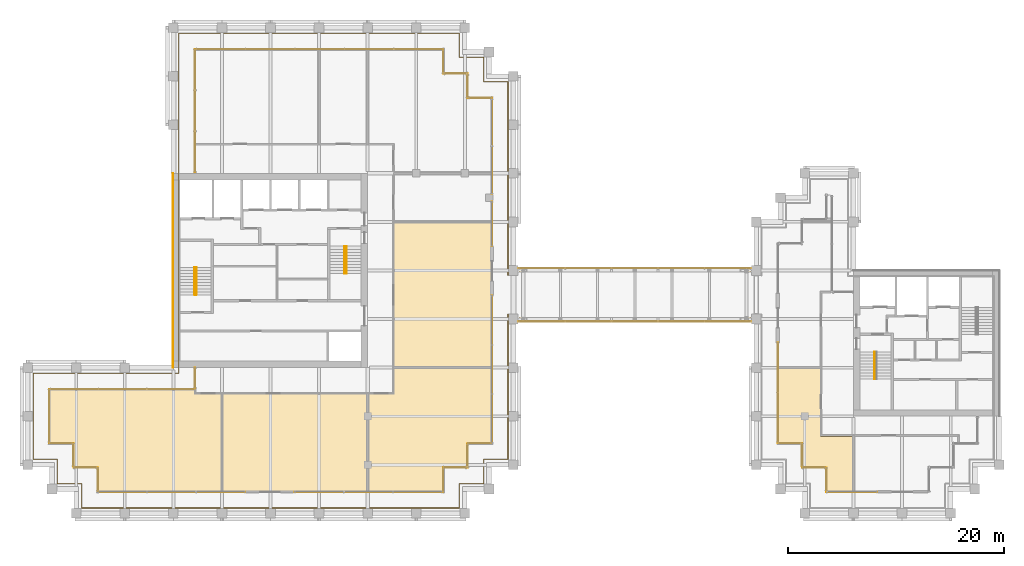
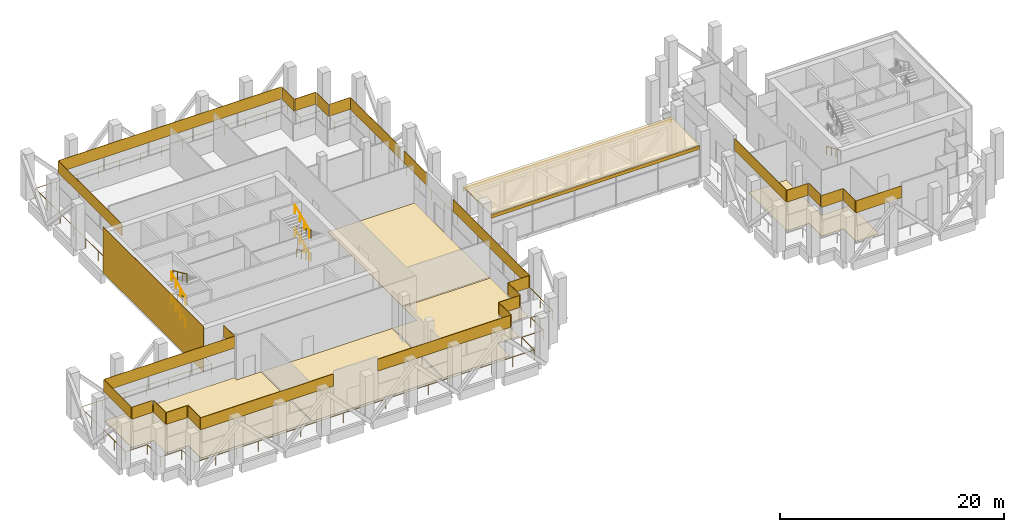
# One storey, part 33 of 34: 37 coverings, 10 railings.
"""IFC4 building model written with IfcOpenShell, lengths in metres."""

from ifc_helpers import new_model, si_unit, direction, frame, origin, origin_2d, place, context, subcontext, project, spatial, polyline, rectangle, circle, outline, extrude, source, transform, mapped, material, layer, layer_set, type_object, element, save


model = new_model("IFC4")

# Units and contexts
model_context = context("Model", 3, precision=1e-05, world=origin(), true_north=direction((0.0, 1.0)))
body_context = subcontext(model_context, "Body", "Model", "MODEL_VIEW")
ifc_project = project(units=[si_unit("LENGTHUNIT", "METRE"), si_unit("AREAUNIT", "SQUARE_METRE"), si_unit("VOLUMEUNIT", "CUBIC_METRE"), si_unit("PLANEANGLEUNIT", "RADIAN"), si_unit("MASSUNIT", "GRAM", prefix="KILO")], contexts=[model_context])

# Site, building, storey
site_placement = place(None, origin())
site = spatial("IfcSite", under=ifc_project, at=site_placement, CompositionType="ELEMENT")
building_placement = place(site_placement, origin())
building = spatial("IfcBuilding", under=site, at=building_placement, Name="Altepetl Exchange Towers", CompositionType="ELEMENT")
storey_placement = place(building_placement, frame((0.0, 0.0, 190.60009765625)))
storey = spatial("IfcBuildingStorey", under=building, at=storey_placement, Name="L48 Refuge", CompositionType="ELEMENT", Elevation=190.60009765625)

# Coverings
ifc_material_1 = material(Name="Aluminium composite cladding", Category="aluminium")
ifc_layer_1 = layer(ifc_material_1, 0.030029296875)
ifc_layer_set_1 = layer_set([ifc_layer_1], Name="Aluminium composite cladding")
covering_type_1 = type_object("IfcCoveringType", Name="Bridge fascia panel 30", PredefinedType="CLADDING", material=ifc_layer_set_1)
for number, where, name in (
    (1, (83.25, 44.784912109375, 3.0), "BR3 fascia"),
    (2, (83.25, 49.715087890625, 3.0), "BR3 fascia"),
):
    element("IfcCovering", number, at=place(storey_placement, frame(where)), inside=storey, type_object=covering_type_1, Name=name, PredefinedType="CLADDING", context=body_context, shape_type="SweptSolid", body=[
        extrude(rectangle(XDim=21.5, YDim=0.030029296875, at=origin_2d()), origin(), (0.0, 0.0, 1.0), 0.35498046875),
    ])
ifc_material_2 = material(Name="Aluminium composite roofing", Category="aluminium")
ifc_layer_2 = layer(ifc_material_2, 0.14990234375)
ifc_layer_set_2 = layer_set([ifc_layer_2], Name="Aluminium composite roofing")
covering_type_2 = type_object("IfcCoveringType", Name="Bridge roof covering 150 insulated", PredefinedType="ROOFING", material=ifc_layer_set_2)
covering_1_placement = place(storey_placement, frame((0.0, 0.0, 3.35498046875)))
element("IfcCovering", 3, at=covering_1_placement, inside=storey, type_object=covering_type_2, Name="BR3 roof covering", PredefinedType="ROOFING", context=body_context, shape_type="SweptSolid", body=[
    extrude(outline(polyline([(72.5, 44.7099609375), (94.0, 44.7099609375), (94.0, 49.7900390625), (72.5, 49.7900390625), (72.5, 44.7099609375)])), origin(), (0.0, 0.0, 1.0), 0.14990234375),
])
ifc_material_3 = material(Name="Cantera stone", Category="masonry")
ifc_layer_3 = layer(ifc_material_3, 0.030029296875)
ifc_layer_set_3 = layer_set([ifc_layer_3], Name="Cantera stone")
covering_type_3 = type_object("IfcCoveringType", Name="Polished stone floor", PredefinedType="FLOORING", material=ifc_layer_set_3)
covering_2_placement = place(storey_placement, origin())
element("IfcCovering", 4, at=covering_2_placement, inside=storey, type_object=covering_type_3, Name="Refuge area floor finish A48.01", PredefinedType="FLOORING", context=body_context, shape_type="SweptSolid", body=[
    extrude(outline(polyline([(44.9375, 29.0625), (44.9375, 38.03759765625), (42.4375, 38.03759765625), (42.4375, 38.4375), (29.0625, 38.4375), (29.0625, 33.5625), (31.3125, 33.5625), (31.3125, 31.3125), (33.5625, 31.3125), (33.5625, 29.0625), (44.9375, 29.0625)])), origin(), (0.0, 0.0, 1.0), 0.02978515625),
])
covering_3_placement = place(storey_placement, origin())
element("IfcCovering", 5, at=covering_3_placement, inside=storey, type_object=covering_type_3, Name="Refuge area floor finish A48.02", PredefinedType="FLOORING", context=body_context, shape_type="SweptSolid", body=[
    extrude(outline(polyline([(58.4375, 29.0625), (58.4375, 38.03759765625), (45.0625, 38.03759765625), (45.0625, 29.0625), (58.4375, 29.0625)])), origin(), (0.0, 0.0, 1.0), 0.02978515625),
])
covering_4_placement = place(storey_placement, origin())
element("IfcCovering", 6, at=covering_4_placement, inside=storey, type_object=covering_type_3, Name="Refuge area floor finish A48.03", PredefinedType="FLOORING", context=body_context, shape_type="SweptSolid", body=[
    extrude(outline(polyline([(58.5625, 29.0625), (65.4375, 29.0625), (65.4375, 31.3125), (67.6875, 31.3125), (67.6875, 33.5625), (69.9375, 33.5625), (69.9375, 40.4375), (60.96240234375, 40.4375), (60.96240234375, 38.03759765625), (58.5625, 38.03759765625), (58.5625, 29.0625)])), origin(), (0.0, 0.0, 1.0), 0.02978515625),
])
covering_5_placement = place(storey_placement, origin())
element("IfcCovering", 7, at=covering_5_placement, inside=storey, type_object=covering_type_3, Name="Bridge lobby floor finish A48.04", PredefinedType="FLOORING", context=body_context, shape_type="SweptSolid", body=[
    extrude(outline(polyline([(69.9375, 40.5625), (69.9375, 53.9375), (60.96240234375, 53.9375), (60.96240234375, 40.5625), (69.9375, 40.5625)])), origin(), (0.0, 0.0, 1.0), 0.02978515625),
])
covering_6_placement = place(storey_placement, origin())
element("IfcCovering", 8, at=covering_6_placement, inside=storey, type_object=covering_type_3, Name="Refuge area floor finish B48.01", PredefinedType="FLOORING", context=body_context, shape_type="SweptSolid", body=[
    extrude(outline(polyline([(96.5625, 40.4375), (96.5625, 33.5625), (98.8125, 33.5625), (98.8125, 31.3125), (101.0625, 31.3125), (101.0625, 29.0625), (103.4375, 29.0625), (103.4375, 34.137451171875), (100.4375, 34.137451171875), (100.4375, 40.4375), (96.5625, 40.4375)])), origin(), (0.0, 0.0, 1.0), 0.02978515625),
])
ifc_material_4 = material(Name="Cantera limestone cladding", Category="masonry")
ifc_layer_4 = layer(ifc_material_4, 0.0400390625)
ifc_layer_set_4 = layer_set([ifc_layer_4], Name="Cantera limestone cladding")
covering_type_4 = type_object("IfcCoveringType", Name="Stone panel 40 cantera", PredefinedType="CLADDING", material=ifc_layer_set_4)
covering_7_placement = place(storey_placement, frame((42.5, 39.550048828125, 3.19970703125), z_axis=(0.0, 0.0, 1.0), x_axis=(0.0, -1.0, 0.0)))
element("IfcCovering", 9, at=covering_7_placement, inside=storey, type_object=covering_type_4, Name="Stone cladding band", PredefinedType="CLADDING", context=body_context, shape_type="SweptSolid", body=[
    extrude(rectangle(XDim=1.89990234375, YDim=0.0400390625, at=origin_2d()), origin(), (0.0, 0.0, 1.0), 1.300048828125),
])
covering_8_placement = place(storey_placement, frame((35.800048828125, 38.5, 3.19970703125), z_axis=(0.0, 0.0, 1.0), x_axis=(-1.0, 0.0, 0.0)))
element("IfcCovering", 10, at=covering_8_placement, inside=storey, type_object=covering_type_4, Name="Stone cladding band", PredefinedType="CLADDING", context=body_context, shape_type="SweptSolid", body=[
    extrude(rectangle(XDim=13.39990234375, YDim=0.0400390625, at=origin_2d()), origin(), (0.0, 0.0, 1.0), 1.300048828125),
])
covering_9_placement = place(storey_placement, frame((29.0, 36.050048828125, 3.19970703125), z_axis=(0.0, 0.0, 1.0), x_axis=(0.0, -1.0, 0.0)))
element("IfcCovering", 11, at=covering_9_placement, inside=storey, type_object=covering_type_4, Name="Stone cladding band", PredefinedType="CLADDING", context=body_context, shape_type="SweptSolid", body=[
    extrude(rectangle(XDim=4.89990234375, YDim=0.0400390625, at=origin_2d()), origin(), (0.0, 0.0, 1.0), 1.300048828125),
])
covering_10_placement = place(storey_placement, frame((30.074951171875, 33.5, 3.19970703125)))
element("IfcCovering", 12, at=covering_10_placement, inside=storey, type_object=covering_type_4, Name="Stone cladding band", PredefinedType="CLADDING", context=body_context, shape_type="SweptSolid", body=[
    extrude(rectangle(XDim=2.14990234375, YDim=0.0400390625, at=origin_2d()), origin(), (0.0, 0.0, 1.0), 1.300048828125),
])
covering_11_placement = place(storey_placement, frame((31.25, 32.425048828125, 3.19970703125), z_axis=(0.0, 0.0, 1.0), x_axis=(0.0, -1.0, 0.0)))
element("IfcCovering", 13, at=covering_11_placement, inside=storey, type_object=covering_type_4, Name="Stone cladding band", PredefinedType="CLADDING", context=body_context, shape_type="SweptSolid", body=[
    extrude(rectangle(XDim=2.14990234375, YDim=0.0400390625, at=origin_2d()), origin(), (0.0, 0.0, 1.0), 1.300048828125),
])
covering_12_placement = place(storey_placement, frame((32.324951171875, 31.25, 3.19970703125)))
element("IfcCovering", 14, at=covering_12_placement, inside=storey, type_object=covering_type_4, Name="Stone cladding band", PredefinedType="CLADDING", context=body_context, shape_type="SweptSolid", body=[
    extrude(rectangle(XDim=2.14990234375, YDim=0.0400390625, at=origin_2d()), origin(), (0.0, 0.0, 1.0), 1.300048828125),
])
covering_13_placement = place(storey_placement, frame((33.5, 30.175048828125, 3.19970703125), z_axis=(0.0, 0.0, 1.0), x_axis=(0.0, -1.0, 0.0)))
element("IfcCovering", 15, at=covering_13_placement, inside=storey, type_object=covering_type_4, Name="Stone cladding band", PredefinedType="CLADDING", context=body_context, shape_type="SweptSolid", body=[
    extrude(rectangle(XDim=2.14990234375, YDim=0.0400390625, at=origin_2d()), origin(), (0.0, 0.0, 1.0), 1.300048828125),
])
for number, where, name in (
    (16, (40.335693359375, 29.0, 3.19970703125), "Stone cladding band"),
    (17, (58.564208984375, 29.0, 3.19970703125), "Stone cladding band"),
):
    element("IfcCovering", number, at=place(storey_placement, frame(where)), inside=storey, type_object=covering_type_4, Name=name, PredefinedType="CLADDING", context=body_context, shape_type="SweptSolid", body=[
        extrude(rectangle(XDim=13.67138671875, YDim=0.0400390625, at=origin_2d()), origin(), (0.0, 0.0, 1.0), 1.300048828125),
    ])
covering_14_placement = place(storey_placement, frame((65.5, 30.074951171875, 3.19970703125), z_axis=(0.0, 0.0, 1.0), x_axis=(0.0, 1.0, 0.0)))
element("IfcCovering", 18, at=covering_14_placement, inside=storey, type_object=covering_type_4, Name="Stone cladding band", PredefinedType="CLADDING", context=body_context, shape_type="SweptSolid", body=[
    extrude(rectangle(XDim=2.14990234375, YDim=0.0400390625, at=origin_2d()), origin(), (0.0, 0.0, 1.0), 1.300048828125),
])
covering_15_placement = place(storey_placement, frame((66.574951171875, 31.25, 3.19970703125)))
element("IfcCovering", 19, at=covering_15_placement, inside=storey, type_object=covering_type_4, Name="Stone cladding band", PredefinedType="CLADDING", context=body_context, shape_type="SweptSolid", body=[
    extrude(rectangle(XDim=2.14990234375, YDim=0.0400390625, at=origin_2d()), origin(), (0.0, 0.0, 1.0), 1.300048828125),
])
covering_16_placement = place(storey_placement, frame((67.75, 32.324951171875, 3.19970703125), z_axis=(0.0, 0.0, 1.0), x_axis=(0.0, 1.0, 0.0)))
element("IfcCovering", 20, at=covering_16_placement, inside=storey, type_object=covering_type_4, Name="Stone cladding band", PredefinedType="CLADDING", context=body_context, shape_type="SweptSolid", body=[
    extrude(rectangle(XDim=2.14990234375, YDim=0.0400390625, at=origin_2d()), origin(), (0.0, 0.0, 1.0), 1.300048828125),
])
covering_17_placement = place(storey_placement, frame((68.824951171875, 33.5, 3.19970703125)))
element("IfcCovering", 21, at=covering_17_placement, inside=storey, type_object=covering_type_4, Name="Stone cladding band", PredefinedType="CLADDING", context=body_context, shape_type="SweptSolid", body=[
    extrude(rectangle(XDim=2.14990234375, YDim=0.0400390625, at=origin_2d()), origin(), (0.0, 0.0, 1.0), 1.300048828125),
])
covering_18_placement = place(storey_placement, frame((70.0, 40.335693359375, 3.19970703125), z_axis=(0.0, 0.0, 1.0), x_axis=(0.0, 1.0, 0.0)))
element("IfcCovering", 22, at=covering_18_placement, inside=storey, type_object=covering_type_4, Name="Stone cladding band", PredefinedType="CLADDING", context=body_context, shape_type="SweptSolid", body=[
    extrude(rectangle(XDim=13.67138671875, YDim=0.0400390625, at=origin_2d()), origin(), (0.0, 0.0, 1.0), 1.300048828125),
])
covering_19_placement = place(storey_placement, frame((70.0, 53.80419921875, 3.19970703125), z_axis=(0.0, 0.0, 1.0), x_axis=(0.0, 1.0, 0.0)))
element("IfcCovering", 23, at=covering_19_placement, inside=storey, type_object=covering_type_4, Name="Stone cladding band", PredefinedType="CLADDING", context=body_context, shape_type="SweptSolid", body=[
    extrude(rectangle(XDim=4.1513671875, YDim=0.0400390625, at=origin_2d()), origin(), (0.0, 0.0, 1.0), 1.300048828125),
])
covering_20_placement = place(storey_placement, frame((70.0, 61.010009765625, 3.19970703125), z_axis=(0.0, 0.0, 1.0), x_axis=(0.0, 1.0, 0.0)))
element("IfcCovering", 24, at=covering_20_placement, inside=storey, type_object=covering_type_4, Name="Stone cladding band", PredefinedType="CLADDING", context=body_context, shape_type="SweptSolid", body=[
    extrude(rectangle(XDim=8.780029296875, YDim=0.0400390625, at=origin_2d()), origin(), (0.0, 0.0, 1.0), 1.300048828125),
])
for number, where, z_axis, x_axis, name in (
    (25, (68.925048828125, 65.5, 3.19970703125), (0.0, 0.0, 1.0), (-1.0, 0.0, 0.0), "Stone cladding band"),
    (26, (67.75, 66.574951171875, 3.19970703125), (0.0, 0.0, 1.0), (0.0, 1.0, 0.0), "Stone cladding band"),
    (27, (66.675048828125, 67.75, 3.19970703125), (0.0, 0.0, 1.0), (-1.0, 0.0, 0.0), "Stone cladding band"),
    (28, (65.5, 68.824951171875, 3.19970703125), (0.0, 0.0, 1.0), (0.0, 1.0, 0.0), "Stone cladding band"),
):
    element("IfcCovering", number, at=place(storey_placement, frame(where, z_axis=z_axis, x_axis=x_axis)), inside=storey, type_object=covering_type_4, Name=name, PredefinedType="CLADDING", context=body_context, shape_type="SweptSolid", body=[
        extrude(rectangle(XDim=2.14990234375, YDim=0.0400390625, at=origin_2d()), origin(), (0.0, 0.0, 1.0), 1.300048828125),
    ])
covering_21_placement = place(storey_placement, frame((54.050048828125, 70.0, 3.19970703125), z_axis=(0.0, 0.0, 1.0), x_axis=(-1.0, 0.0, 0.0)))
element("IfcCovering", 29, at=covering_21_placement, inside=storey, type_object=covering_type_4, Name="Stone cladding band", PredefinedType="CLADDING", context=body_context, shape_type="SweptSolid", body=[
    extrude(rectangle(XDim=22.89990234375, YDim=0.0400390625, at=origin_2d()), origin(), (0.0, 0.0, 1.0), 1.300048828125),
])
covering_22_placement = place(storey_placement, frame((42.5, 64.300048828125, 3.19970703125), z_axis=(0.0, 0.0, 1.0), x_axis=(0.0, -1.0, 0.0)))
element("IfcCovering", 30, at=covering_22_placement, inside=storey, type_object=covering_type_4, Name="Stone cladding band", PredefinedType="CLADDING", context=body_context, shape_type="SweptSolid", body=[
    extrude(rectangle(XDim=11.39990234375, YDim=0.0400390625, at=origin_2d()), origin(), (0.0, 0.0, 1.0), 1.300048828125),
])
covering_23_placement = place(storey_placement, frame((40.47998046875, 49.5, 0.0), z_axis=(0.0, 0.0, 1.0), x_axis=(0.0, -1.0, 0.0)))
element("IfcCovering", 31, at=covering_23_placement, inside=storey, type_object=covering_type_4, Name="Stone cladding panel", PredefinedType="CLADDING", context=body_context, shape_type="SweptSolid", body=[
    extrude(rectangle(XDim=18.0, YDim=0.0400390625, at=origin_2d()), origin(), (0.0, 0.0, 1.0), 5.0),
])
covering_24_placement = place(storey_placement, frame((101.0, 30.175048828125, 3.19970703125), z_axis=(0.0, 0.0, 1.0), x_axis=(0.0, -1.0, 0.0)))
element("IfcCovering", 32, at=covering_24_placement, inside=storey, type_object=covering_type_4, Name="Stone cladding band", PredefinedType="CLADDING", context=body_context, shape_type="SweptSolid", body=[
    extrude(rectangle(XDim=2.14990234375, YDim=0.0400390625, at=origin_2d()), origin(), (0.0, 0.0, 1.0), 1.300048828125),
])
covering_25_placement = place(storey_placement, frame((103.35009765625, 29.0, 3.19970703125)))
element("IfcCovering", 33, at=covering_25_placement, inside=storey, type_object=covering_type_4, Name="Stone cladding band", PredefinedType="CLADDING", context=body_context, shape_type="SweptSolid", body=[
    extrude(rectangle(XDim=4.699951171875, YDim=0.0400390625, at=origin_2d()), origin(), (0.0, 0.0, 1.0), 1.300048828125),
])
covering_26_placement = place(storey_placement, frame((96.5, 38.199951171875, 3.19970703125), z_axis=(0.0, 0.0, 1.0), x_axis=(0.0, -1.0, 0.0)))
element("IfcCovering", 34, at=covering_26_placement, inside=storey, type_object=covering_type_4, Name="Stone cladding band", PredefinedType="CLADDING", context=body_context, shape_type="SweptSolid", body=[
    extrude(rectangle(XDim=9.199951171875, YDim=0.0400390625, at=origin_2d()), origin(), (0.0, 0.0, 1.0), 1.300048828125),
])
covering_27_placement = place(storey_placement, frame((97.574951171875, 33.5, 3.19970703125)))
element("IfcCovering", 35, at=covering_27_placement, inside=storey, type_object=covering_type_4, Name="Stone cladding band", PredefinedType="CLADDING", context=body_context, shape_type="SweptSolid", body=[
    extrude(rectangle(XDim=2.14990234375, YDim=0.0400390625, at=origin_2d()), origin(), (0.0, 0.0, 1.0), 1.300048828125),
])
covering_28_placement = place(storey_placement, frame((98.75, 32.425048828125, 3.19970703125), z_axis=(0.0, 0.0, 1.0), x_axis=(0.0, -1.0, 0.0)))
element("IfcCovering", 36, at=covering_28_placement, inside=storey, type_object=covering_type_4, Name="Stone cladding band", PredefinedType="CLADDING", context=body_context, shape_type="SweptSolid", body=[
    extrude(rectangle(XDim=2.14990234375, YDim=0.0400390625, at=origin_2d()), origin(), (0.0, 0.0, 1.0), 1.300048828125),
])
covering_29_placement = place(storey_placement, frame((99.824951171875, 31.25, 3.19970703125)))
element("IfcCovering", 37, at=covering_29_placement, inside=storey, type_object=covering_type_4, Name="Stone cladding band", PredefinedType="CLADDING", context=body_context, shape_type="SweptSolid", body=[
    extrude(rectangle(XDim=2.14990234375, YDim=0.0400390625, at=origin_2d()), origin(), (0.0, 0.0, 1.0), 1.300048828125),
])

# Railings
ifc_material_5 = material(Name="Steel S355", Category="steel")
railing_type_1 = type_object("IfcRailingType", Name="Guard 1100 steel posts and rail", PredefinedType="GUARDRAIL", material=ifc_material_5)
shared_shape_1 = source(origin(), body_context, "Body", "SweptSolid", [
    extrude(circle(Radius=0.02099609375, at=origin_2d()), origin(), (0.0, 0.0, 1.0), 1.052001953125),
])
railing_1_placement = place(storey_placement, frame((71.5, 49.050048828125, 0.0)))
element("IfcRailing", 38, at=railing_1_placement, inside=storey, type_object=railing_type_1, Name="Loggia guard", PredefinedType="GUARDRAIL", context=body_context, shape_type="SweptSolid", body=[
    extrude(circle(Radius=0.02392578125, at=origin_2d()), frame((0.0, 0.0, 1.076171875), z_axis=(0.0, 1.0, 0.0), x_axis=(-1.0, 0.0, 0.0)), (0.0, 0.0, 1.0), 17.949951171875),
    extrude(circle(Radius=0.02392578125, at=origin_2d()), frame((0.0, 17.949951171875, 1.076171875), z_axis=(-1.0, 0.0, 0.0), x_axis=(0.0, -1.0, 0.0)), (0.0, 0.0, 1.0), 2.25),
    extrude(circle(Radius=0.02392578125, at=origin_2d()), frame((-2.25, 17.949951171875, 1.076171875), z_axis=(0.0, 1.0, 0.0), x_axis=(-1.0, 0.0, 0.0)), (0.0, 0.0, 1.0), 2.25),
    extrude(circle(Radius=0.02392578125, at=origin_2d()), frame((-2.25, 20.199951171875, 1.076171875), z_axis=(-1.0, 0.0, 0.0), x_axis=(0.0, -1.0, 0.0)), (0.0, 0.0, 1.0), 2.25),
    extrude(circle(Radius=0.02392578125, at=origin_2d()), frame((-4.5, 20.199951171875, 1.076171875), z_axis=(0.0, 1.0, 0.0), x_axis=(-1.0, 0.0, 0.0)), (0.0, 0.0, 1.0), 2.25),
    extrude(circle(Radius=0.02392578125, at=origin_2d()), frame((-4.5, 22.449951171875, 1.076171875), z_axis=(-1.0, 0.0, 0.0), x_axis=(0.0, -1.0, 0.0)), (0.0, 0.0, 1.0), 26.0),
    extrude(circle(Radius=0.02392578125, at=origin_2d()), frame((-30.5, 22.449951171875, 1.076171875), z_axis=(0.0, -1.0, 0.0), x_axis=(1.0, 0.0, 0.0)), (0.0, 0.0, 1.0), 31.5),
    extrude(circle(Radius=0.02392578125, at=origin_2d()), frame((-30.5, -9.050048828125, 1.076171875), z_axis=(-1.0, 0.0, 0.0), x_axis=(0.0, -1.0, 0.0)), (0.0, 0.0, 1.0), 13.5),
    extrude(circle(Radius=0.02392578125, at=origin_2d()), frame((-44.0, -9.050048828125, 1.076171875), z_axis=(0.0, -1.0, 0.0), x_axis=(1.0, 0.0, 0.0)), (0.0, 0.0, 1.0), 8.0),
    extrude(circle(Radius=0.02392578125, at=origin_2d()), frame((-44.0, -17.050048828125, 1.076171875), z_axis=(1.0, 0.0, 0.0), x_axis=(0.0, 1.0, 0.0)), (0.0, 0.0, 1.0), 2.25),
    extrude(circle(Radius=0.02392578125, at=origin_2d()), frame((-41.75, -17.050048828125, 1.076171875), z_axis=(0.0, -1.0, 0.0), x_axis=(1.0, 0.0, 0.0)), (0.0, 0.0, 1.0), 2.25),
    extrude(circle(Radius=0.02392578125, at=origin_2d()), frame((-41.75, -19.300048828125, 1.076171875), z_axis=(1.0, 0.0, 0.0), x_axis=(0.0, 1.0, 0.0)), (0.0, 0.0, 1.0), 2.25),
    extrude(circle(Radius=0.02392578125, at=origin_2d()), frame((-39.5, -19.300048828125, 1.076171875), z_axis=(0.0, -1.0, 0.0), x_axis=(1.0, 0.0, 0.0)), (0.0, 0.0, 1.0), 2.25),
    extrude(circle(Radius=0.02392578125, at=origin_2d()), frame((-39.5, -21.550048828125, 1.076171875), z_axis=(1.0, 0.0, 0.0), x_axis=(0.0, 1.0, 0.0)), (0.0, 0.0, 1.0), 35.0),
    extrude(circle(Radius=0.02392578125, at=origin_2d()), frame((-4.5, -21.550048828125, 1.076171875), z_axis=(0.0, 1.0, 0.0), x_axis=(-1.0, 0.0, 0.0)), (0.0, 0.0, 1.0), 2.25),
    extrude(circle(Radius=0.02392578125, at=origin_2d()), frame((-4.5, -19.300048828125, 1.076171875), z_axis=(1.0, 0.0, 0.0), x_axis=(0.0, 1.0, 0.0)), (0.0, 0.0, 1.0), 2.25),
    extrude(circle(Radius=0.02392578125, at=origin_2d()), frame((-2.25, -19.300048828125, 1.076171875), z_axis=(0.0, 1.0, 0.0), x_axis=(-1.0, 0.0, 0.0)), (0.0, 0.0, 1.0), 2.25),
    extrude(circle(Radius=0.02392578125, at=origin_2d()), frame((-2.25, -17.050048828125, 1.076171875), z_axis=(1.0, 0.0, 0.0), x_axis=(0.0, 1.0, 0.0)), (0.0, 0.0, 1.0), 2.25),
    extrude(circle(Radius=0.02392578125, at=origin_2d()), frame((0.0, -17.050048828125, 1.076171875), z_axis=(0.0, 1.0, 0.0), x_axis=(-1.0, 0.0, 0.0)), (0.0, 0.0, 1.0), 13.449951171875),
    mapped(shared_shape_1, transform((0.0, 0.0, 0.0))),
    mapped(shared_shape_1, transform((0.0, 2.24365234375, 0.0))),
    mapped(shared_shape_1, transform((0.0, 4.487548828125, 0.0))),
    mapped(shared_shape_1, transform((0.0, 6.731201171875, 0.0))),
    mapped(shared_shape_1, transform((0.0, 8.97509765625, 0.0))),
    mapped(shared_shape_1, transform((0.0, 11.21875, 0.0))),
    mapped(shared_shape_1, transform((0.0, 13.46240234375, 0.0))),
    mapped(shared_shape_1, transform((0.0, 15.706298828125, 0.0))),
    mapped(shared_shape_1, transform((0.0, 17.949951171875, 0.0))),
    mapped(shared_shape_1, transform((-2.25, 17.949951171875, 0.0))),
    mapped(shared_shape_1, transform((-2.25, 20.199951171875, 0.0))),
    mapped(shared_shape_1, transform((-4.5, 20.199951171875, 0.0))),
    mapped(shared_shape_1, transform((-4.5, 22.449951171875, 0.0))),
    mapped(shared_shape_1, transform((-6.666748046875, 22.449951171875, 0.0))),
    mapped(shared_shape_1, transform((-8.833251953125, 22.449951171875, 0.0))),
    mapped(shared_shape_1, transform((-11.0, 22.449951171875, 0.0))),
    mapped(shared_shape_1, transform((-13.166748046875, 22.449951171875, 0.0))),
    mapped(shared_shape_1, transform((-15.333251953125, 22.449951171875, 0.0))),
    mapped(shared_shape_1, transform((-17.5, 22.449951171875, 0.0))),
    mapped(shared_shape_1, transform((-19.666748046875, 22.449951171875, 0.0))),
    mapped(shared_shape_1, transform((-21.833251953125, 22.449951171875, 0.0))),
    mapped(shared_shape_1, transform((-24.0, 22.449951171875, 0.0))),
    mapped(shared_shape_1, transform((-26.166748046875, 22.449951171875, 0.0))),
    mapped(shared_shape_1, transform((-28.333251953125, 22.449951171875, 0.0))),
    mapped(shared_shape_1, transform((-30.5, 22.449951171875, 0.0))),
    mapped(shared_shape_1, transform((-30.5, 20.199951171875, 0.0))),
    mapped(shared_shape_1, transform((-30.5, 17.949951171875, 0.0))),
    mapped(shared_shape_1, transform((-30.5, 15.699951171875, 0.0))),
    mapped(shared_shape_1, transform((-30.5, 13.449951171875, 0.0))),
    mapped(shared_shape_1, transform((-30.5, 11.199951171875, 0.0))),
    mapped(shared_shape_1, transform((-30.5, 8.949951171875, 0.0))),
    mapped(shared_shape_1, transform((-30.5, 6.699951171875, 0.0))),
    mapped(shared_shape_1, transform((-30.5, 4.449951171875, 0.0))),
    mapped(shared_shape_1, transform((-30.5, 2.199951171875, 0.0))),
    mapped(shared_shape_1, transform((-30.5, -0.050048828125, 0.0))),
    mapped(shared_shape_1, transform((-30.5, -2.300048828125, 0.0))),
    mapped(shared_shape_1, transform((-30.5, -4.550048828125, 0.0))),
    mapped(shared_shape_1, transform((-30.5, -6.800048828125, 0.0))),
    mapped(shared_shape_1, transform((-30.5, -9.050048828125, 0.0))),
    mapped(shared_shape_1, transform((-32.75, -9.050048828125, 0.0))),
    mapped(shared_shape_1, transform((-35.0, -9.050048828125, 0.0))),
    mapped(shared_shape_1, transform((-37.25, -9.050048828125, 0.0))),
    mapped(shared_shape_1, transform((-39.5, -9.050048828125, 0.0))),
    mapped(shared_shape_1, transform((-41.75, -9.050048828125, 0.0))),
    mapped(shared_shape_1, transform((-44.0, -9.050048828125, 0.0))),
    mapped(shared_shape_1, transform((-44.0, -11.050048828125, 0.0))),
    mapped(shared_shape_1, transform((-44.0, -13.050048828125, 0.0))),
    mapped(shared_shape_1, transform((-44.0, -15.050048828125, 0.0))),
    mapped(shared_shape_1, transform((-44.0, -17.050048828125, 0.0))),
    mapped(shared_shape_1, transform((-41.75, -17.050048828125, 0.0))),
    mapped(shared_shape_1, transform((-41.75, -19.300048828125, 0.0))),
    mapped(shared_shape_1, transform((-39.5, -19.300048828125, 0.0))),
    mapped(shared_shape_1, transform((-39.5, -21.550048828125, 0.0))),
    mapped(shared_shape_1, transform((-37.3125, -21.550048828125, 0.0))),
    mapped(shared_shape_1, transform((-35.125, -21.550048828125, 0.0))),
    mapped(shared_shape_1, transform((-32.9375, -21.550048828125, 0.0))),
    mapped(shared_shape_1, transform((-30.75, -21.550048828125, 0.0))),
    mapped(shared_shape_1, transform((-28.5625, -21.550048828125, 0.0))),
    mapped(shared_shape_1, transform((-26.375, -21.550048828125, 0.0))),
    mapped(shared_shape_1, transform((-24.1875, -21.550048828125, 0.0))),
    mapped(shared_shape_1, transform((-22.0, -21.550048828125, 0.0))),
    mapped(shared_shape_1, transform((-19.8125, -21.550048828125, 0.0))),
    mapped(shared_shape_1, transform((-17.625, -21.550048828125, 0.0))),
    mapped(shared_shape_1, transform((-15.4375, -21.550048828125, 0.0))),
    mapped(shared_shape_1, transform((-13.25, -21.550048828125, 0.0))),
    mapped(shared_shape_1, transform((-11.0625, -21.550048828125, 0.0))),
    mapped(shared_shape_1, transform((-8.875, -21.550048828125, 0.0))),
    mapped(shared_shape_1, transform((-6.6875, -21.550048828125, 0.0))),
    mapped(shared_shape_1, transform((-4.5, -21.550048828125, 0.0))),
    mapped(shared_shape_1, transform((-4.5, -19.300048828125, 0.0))),
    mapped(shared_shape_1, transform((-2.25, -19.300048828125, 0.0))),
    mapped(shared_shape_1, transform((-2.25, -17.050048828125, 0.0))),
    mapped(shared_shape_1, transform((0.0, -17.050048828125, 0.0))),
    mapped(shared_shape_1, transform((0.0, -14.808349609375, 0.0))),
    mapped(shared_shape_1, transform((0.0, -12.566650390625, 0.0))),
    mapped(shared_shape_1, transform((0.0, -10.3251953125, 0.0))),
    mapped(shared_shape_1, transform((0.0, -8.08349609375, 0.0))),
    mapped(shared_shape_1, transform((0.0, -5.841796875, 0.0))),
    mapped(shared_shape_1, transform((0.0, -3.60009765625, 0.0))),
])
ifc_material_6 = material(Name="Steel", Category="steel")
railing_type_2 = type_object("IfcRailingType", Name="Stair handrail 50 steel tube", PredefinedType="HANDRAIL", material=ifc_material_6)
shared_shape_2 = source(origin(), body_context, "Body", "SweptSolid", [
    extrude(circle(Radius=0.02099609375, at=origin_2d()), origin(), (0.0, 0.0, 1.0), 0.851806640625),
])
railing_2_placement = place(storey_placement, frame((42.469970703125, 47.25, 0.125)))
element("IfcRailing", 39, at=railing_2_placement, inside=storey, type_object=railing_type_2, Name="Stair handrail", PredefinedType="HANDRAIL", context=body_context, shape_type="SweptSolid", body=[
    extrude(circle(Radius=0.02392578125, at=origin_2d()), frame((0.0, 0.0, 0.8759765625), z_axis=(0.0, 0.913139058521, 0.407648205936), x_axis=(-1.0, 0.0, 0.0)), (0.0, 0.0, 1.0), 2.759765625),
    mapped(shared_shape_2, transform((0.0, 0.0, 0.0))),
    mapped(shared_shape_2, transform((0.0, 0.840087890625, 0.375))),
    mapped(shared_shape_2, transform((0.0, 1.679931640625, 0.75))),
    mapped(shared_shape_2, transform((0.0, 2.52001953125, 1.125))),
])
railing_3_placement = place(storey_placement, frame((42.6298828125, 49.77001953125, 1.375)))
element("IfcRailing", 40, at=railing_3_placement, inside=storey, type_object=railing_type_2, Name="Stair handrail", PredefinedType="HANDRAIL", context=body_context, shape_type="SweptSolid", body=[
    extrude(circle(Radius=0.02392578125, at=origin_2d()), frame((0.0, 0.0, 0.8759765625), z_axis=(0.0, -0.913139058521, 0.407648205936), x_axis=(1.0, 0.0, 0.0)), (0.0, 0.0, 1.0), 2.759765625),
    mapped(shared_shape_2, transform((0.0, 0.0, 0.0))),
    mapped(shared_shape_2, transform((0.0, -0.840087890625, 0.375))),
    mapped(shared_shape_2, transform((0.0, -1.679931640625, 0.75))),
    mapped(shared_shape_2, transform((0.0, -2.52001953125, 1.125))),
])
railing_4_placement = place(storey_placement, frame((42.469970703125, 47.25, 2.625)))
element("IfcRailing", 41, at=railing_4_placement, inside=storey, type_object=railing_type_2, Name="Stair handrail", PredefinedType="HANDRAIL", context=body_context, shape_type="SweptSolid", body=[
    extrude(circle(Radius=0.02392578125, at=origin_2d()), frame((0.0, 0.0, 0.8759765625), z_axis=(0.0, 0.913139058521, 0.407648205936), x_axis=(-1.0, 0.0, 0.0)), (0.0, 0.0, 1.0), 2.759765625),
    mapped(shared_shape_2, transform((0.0, 0.0, 0.0))),
    mapped(shared_shape_2, transform((0.0, 0.840087890625, 0.375))),
    mapped(shared_shape_2, transform((0.0, 1.679931640625, 0.75))),
    mapped(shared_shape_2, transform((0.0, 2.52001953125, 1.125))),
])
for number, where, name in (
    (42, (42.6298828125, 49.77001953125, 3.875), "Stair handrail"),
    (43, (56.530029296875, 51.75, 0.125), "Stair handrail"),
):
    element("IfcRailing", number, at=place(storey_placement, frame(where)), inside=storey, type_object=railing_type_2, Name=name, PredefinedType="HANDRAIL", context=body_context, shape_type="SweptSolid", body=[
        extrude(circle(Radius=0.02392578125, at=origin_2d()), frame((0.0, 0.0, 0.8759765625), z_axis=(0.0, -0.913139058521, 0.407648205936), x_axis=(1.0, 0.0, 0.0)), (0.0, 0.0, 1.0), 2.759765625),
        mapped(shared_shape_2, transform((0.0, 0.0, 0.0))),
        mapped(shared_shape_2, transform((0.0, -0.840087890625, 0.375))),
        mapped(shared_shape_2, transform((0.0, -1.679931640625, 0.75))),
        mapped(shared_shape_2, transform((0.0, -2.52001953125, 1.125))),
    ])
railing_5_placement = place(storey_placement, frame((56.3701171875, 49.22998046875, 1.375)))
element("IfcRailing", 44, at=railing_5_placement, inside=storey, type_object=railing_type_2, Name="Stair handrail", PredefinedType="HANDRAIL", context=body_context, shape_type="SweptSolid", body=[
    extrude(circle(Radius=0.02392578125, at=origin_2d()), frame((0.0, 0.0, 0.8759765625), z_axis=(0.0, 0.913139058521, 0.407648205936), x_axis=(-1.0, 0.0, 0.0)), (0.0, 0.0, 1.0), 2.759765625),
    mapped(shared_shape_2, transform((0.0, 0.0, 0.0))),
    mapped(shared_shape_2, transform((0.0, 0.840087890625, 0.375))),
    mapped(shared_shape_2, transform((0.0, 1.679931640625, 0.75))),
    mapped(shared_shape_2, transform((0.0, 2.52001953125, 1.125))),
])
railing_6_placement = place(storey_placement, frame((56.530029296875, 51.75, 2.625)))
element("IfcRailing", 45, at=railing_6_placement, inside=storey, type_object=railing_type_2, Name="Stair handrail", PredefinedType="HANDRAIL", context=body_context, shape_type="SweptSolid", body=[
    extrude(circle(Radius=0.02392578125, at=origin_2d()), frame((0.0, 0.0, 0.8759765625), z_axis=(0.0, -0.913139058521, 0.407648205936), x_axis=(1.0, 0.0, 0.0)), (0.0, 0.0, 1.0), 2.759765625),
    mapped(shared_shape_2, transform((0.0, 0.0, 0.0))),
    mapped(shared_shape_2, transform((0.0, -0.840087890625, 0.375))),
    mapped(shared_shape_2, transform((0.0, -1.679931640625, 0.75))),
    mapped(shared_shape_2, transform((0.0, -2.52001953125, 1.125))),
])
railing_7_placement = place(storey_placement, frame((56.3701171875, 49.22998046875, 3.875)))
element("IfcRailing", 46, at=railing_7_placement, inside=storey, type_object=railing_type_2, Name="Stair handrail", PredefinedType="HANDRAIL", context=body_context, shape_type="SweptSolid", body=[
    extrude(circle(Radius=0.02392578125, at=origin_2d()), frame((0.0, 0.0, 0.8759765625), z_axis=(0.0, 0.913139058521, 0.407648205936), x_axis=(-1.0, 0.0, 0.0)), (0.0, 0.0, 1.0), 2.759765625),
    mapped(shared_shape_2, transform((0.0, 0.0, 0.0))),
    mapped(shared_shape_2, transform((0.0, 0.840087890625, 0.375))),
    mapped(shared_shape_2, transform((0.0, 1.679931640625, 0.75))),
    mapped(shared_shape_2, transform((0.0, 2.52001953125, 1.125))),
])
railing_8_placement = place(storey_placement, frame((105.469970703125, 41.949951171875, 0.125)))
element("IfcRailing", 47, at=railing_8_placement, inside=storey, type_object=railing_type_2, Name="Stair handrail", PredefinedType="HANDRAIL", context=body_context, shape_type="SweptSolid", body=[
    extrude(circle(Radius=0.02392578125, at=origin_2d()), frame((0.0, 0.0, 0.8759765625), z_axis=(0.0, -0.913139058521, 0.407648205936), x_axis=(1.0, 0.0, 0.0)), (0.0, 0.0, 1.0), 2.759765625),
    mapped(shared_shape_2, transform((0.0, 0.0, 0.0))),
    mapped(shared_shape_2, transform((0.0, -0.840087890625, 0.375))),
    mapped(shared_shape_2, transform((0.0, -1.679931640625, 0.75))),
    mapped(shared_shape_2, transform((0.0, -2.52001953125, 1.125))),
])

save(model, "model.ifc")
